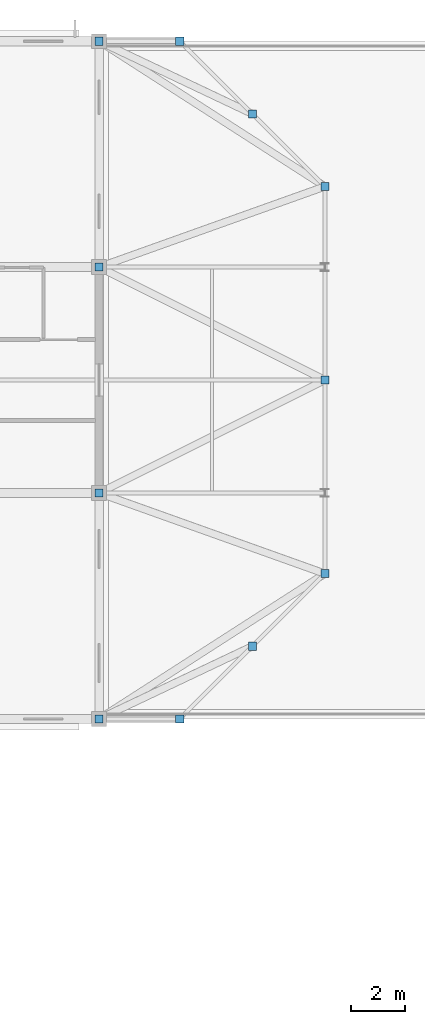
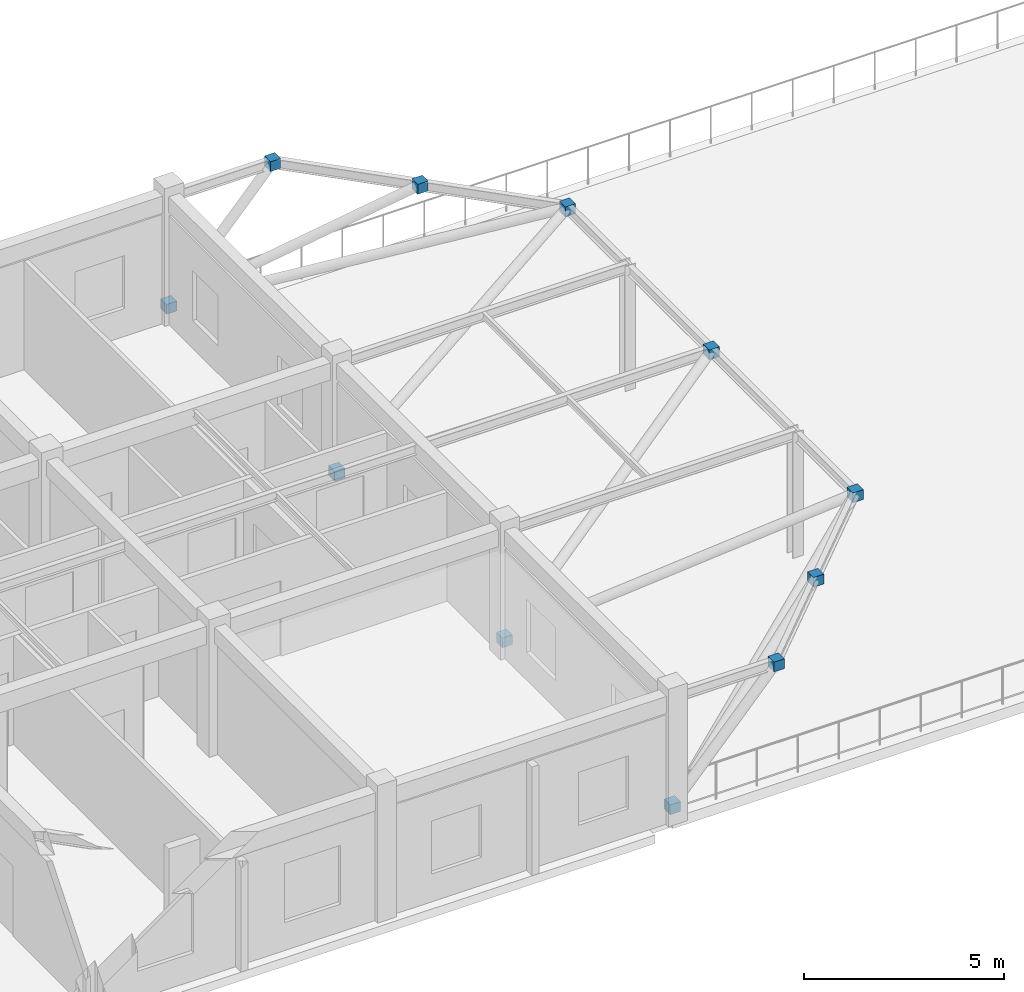
# One storey, part 16 of 21: 11 discrete accessories.
"""IFC4 building model written with IfcOpenShell, lengths in metres."""

from ifc_helpers import new_model, si_unit, direction, frame, origin, origin_2d, place, context, subcontext, project, spatial, rectangle, extrude, material, type_object, element, save


model = new_model("IFC4")

# Units and contexts
model_context = context("Model", 3, precision=1e-05, world=origin(), true_north=direction((0.0, 1.0)))
body_context = subcontext(model_context, "Body", "Model", "MODEL_VIEW")
ifc_project = project(units=[si_unit("LENGTHUNIT", "METRE"), si_unit("AREAUNIT", "SQUARE_METRE"), si_unit("VOLUMEUNIT", "CUBIC_METRE"), si_unit("PLANEANGLEUNIT", "RADIAN"), si_unit("MASSUNIT", "GRAM", prefix="KILO")], contexts=[model_context])

# Site, building, storey
site_placement = place(None, origin())
site = spatial("IfcSite", under=ifc_project, at=site_placement, CompositionType="ELEMENT")
building_placement = place(site_placement, origin())
building = spatial("IfcBuilding", under=site, at=building_placement, Name="Trelvath General Hospital", CompositionType="ELEMENT")
storey_placement = place(building_placement, frame((0.0, 0.0, 28.800048828125)))
storey = spatial("IfcBuildingStorey", under=building, at=storey_placement, Name="L07", CompositionType="ELEMENT", Elevation=28.800048828125)

# Discrete accessories
ifc_material = material(Name="Steel S355", Category="steel")
discrete_accessory_type = type_object("IfcDiscreteAccessoryType", Name="FacadeBracket S355", PredefinedType="BRACKET", material=ifc_material)
for number, where, z_axis, x_axis, name in (
    (1, (109.199951171875, 92.39990234375, 0.25), (0.0, 0.0, 1.0), (1.0, 0.0, 0.0), "Helipad Strut Gusset Node HS-01-A"),
    (2, (112.199951171875, 92.39990234375, 3.56005859375), (0.0, 0.0, 1.0), (1.0, 0.0, 0.0), "Helipad Strut Gusset Node HS-01-B"),
    (3, (117.60009765625, 97.800048828125, 3.56005859375), (0.0, 0.0, 1.0), (1.0, 0.0, 0.0), "Helipad Strut Gusset Node HS-02-B"),
    (4, (109.199951171875, 100.800048828125, 0.25), (0.0, 0.0, 1.0), (1.0, 0.0, 0.0), "Helipad Strut Gusset Node HS-03-A"),
    (5, (117.60009765625, 105.0, 3.56005859375), (0.0, 0.0, 1.0), (1.0, 0.0, 0.0), "Helipad Strut Gusset Node HS-04-B"),
    (6, (109.199951171875, 109.199951171875, 0.25), (0.0, 0.0, 1.0), (1.0, 0.0, 0.0), "Helipad Strut Gusset Node HS-05-A"),
    (7, (117.60009765625, 112.199951171875, 3.56005859375), (0.0, 0.0, 1.0), (1.0, 0.0, 0.0), "Helipad Strut Gusset Node HS-06-B"),
    (8, (109.199951171875, 117.60009765625, 0.25), (0.0, 0.0, 1.0), (1.0, 0.0, 0.0), "Helipad Strut Gusset Node HS-07-A"),
    (9, (112.199951171875, 117.60009765625, 3.56005859375), (0.0, 0.0, 1.0), (1.0, 0.0, 0.0), "Helipad Strut Gusset Node HS-08-B"),
    (10, (114.89990234375, 95.10009765625, 3.56005859375), (0.0, 0.0, 1.0), (1.0, 0.0, 0.0), "Helipad Strut Gusset Node HS-09-B"),
    (11, (114.89990234375, 114.89990234375, 3.56005859375), (0.0, 0.0, 1.0), (1.0, 0.0, 0.0), "Helipad Strut Gusset Node HS-10-B"),
):
    element("IfcDiscreteAccessory", number, at=place(storey_placement, frame(where, z_axis=z_axis, x_axis=x_axis)), inside=storey, type_object=discrete_accessory_type, Name=name, PredefinedType="BRACKET", context=body_context, shape_type="SweptSolid", body=[
        extrude(rectangle(XDim=0.300048828125, YDim=0.300048828125, at=origin_2d()), origin(), (0.0, 0.0, 1.0), 0.300048828125),
    ])

save(model, "model.ifc")
